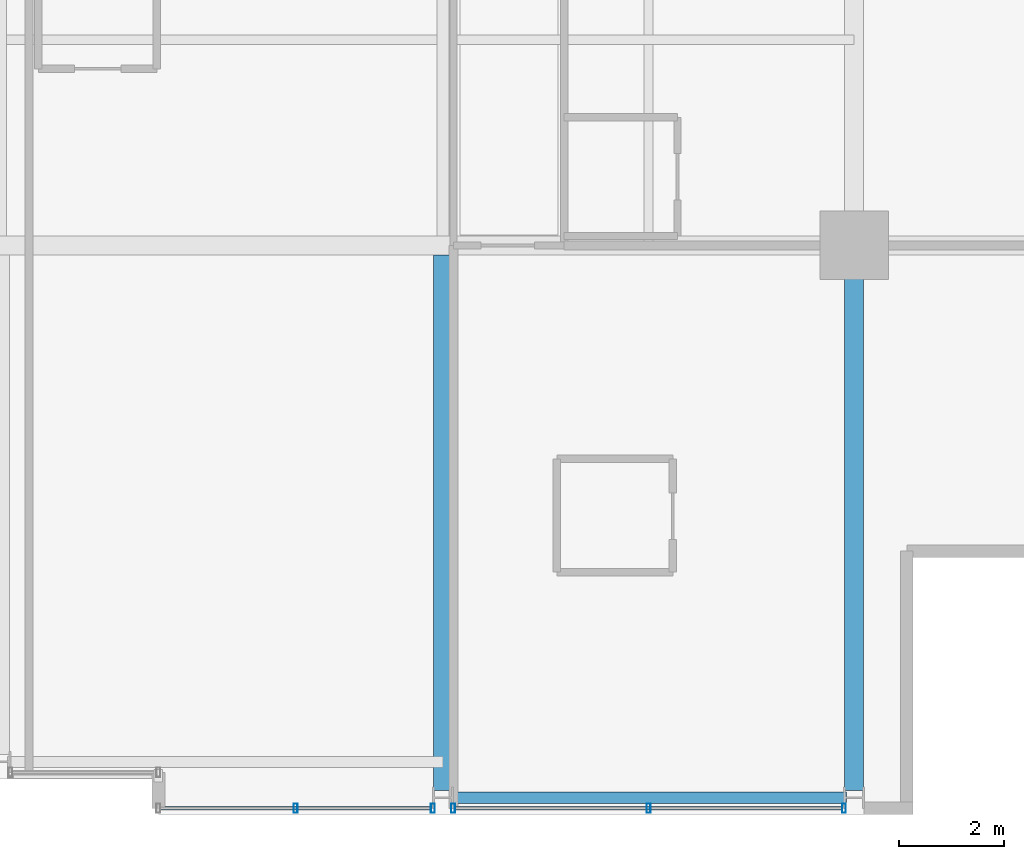
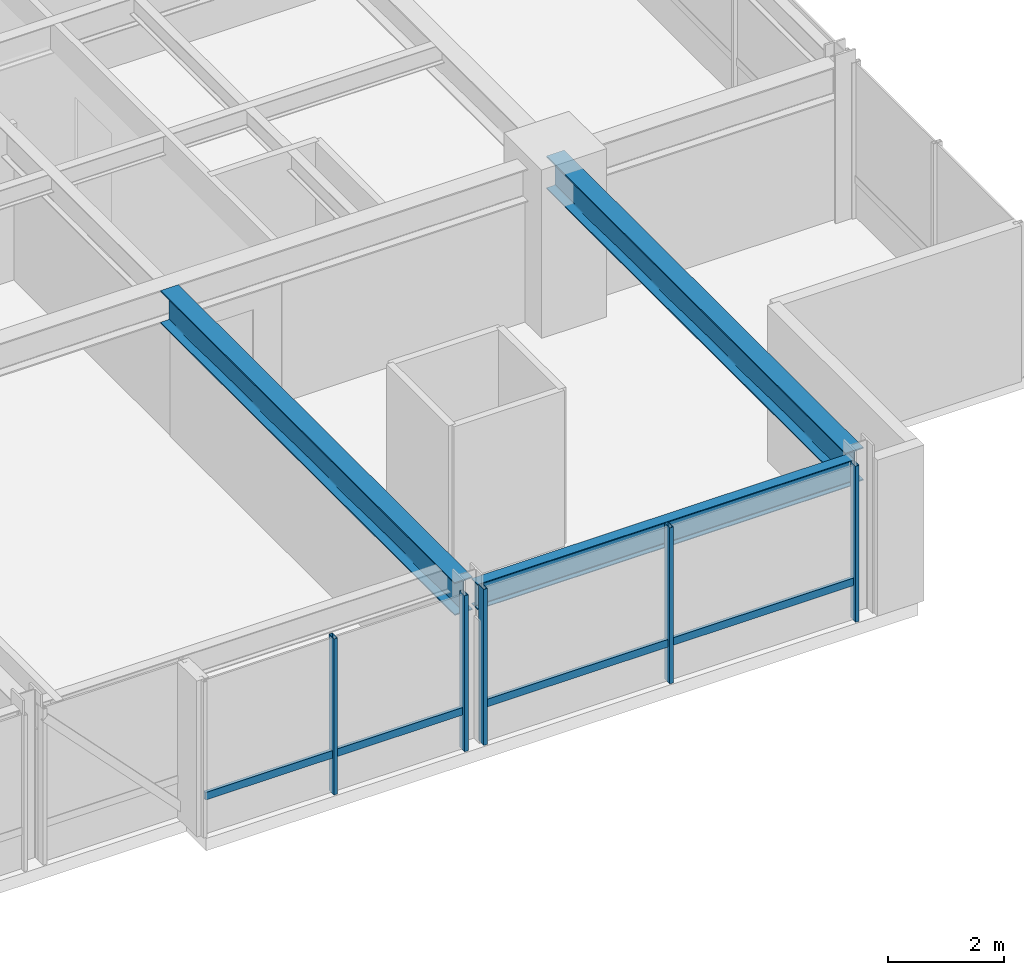
# One storey, part 11 of 32: 7 members, 3 beams, 2 elements without a shape of their own.
"""IFC4 building model written with IfcOpenShell, lengths in metres."""

from ifc_helpers import new_model, si_unit, direction, frame, origin, origin_2d, place, context, subcontext, project, spatial, hollow_rectangle, i_section, extrude, material, layer, layer_set, material_profile, profile_set, type_object, element, aggregate, save


model = new_model("IFC4")

# Units and contexts
model_context = context("Model", 3, precision=1e-05, world=origin(), true_north=direction((0.0, 1.0)))
body_context = subcontext(model_context, "Body", "Model", "MODEL_VIEW")
ifc_project = project(units=[si_unit("LENGTHUNIT", "METRE"), si_unit("AREAUNIT", "SQUARE_METRE"), si_unit("VOLUMEUNIT", "CUBIC_METRE"), si_unit("PLANEANGLEUNIT", "RADIAN"), si_unit("MASSUNIT", "GRAM", prefix="KILO")], contexts=[model_context])

# Site, building, storey
site_placement = place(None, origin())
site = spatial("IfcSite", under=ifc_project, at=site_placement, CompositionType="ELEMENT")
building_placement = place(site_placement, origin())
building = spatial("IfcBuilding", under=site, at=building_placement, Name="Drelvath Grand Hotel", CompositionType="ELEMENT")
storey_placement = place(building_placement, frame((0.0, 0.0, 189.449951171875)))
storey = spatial("IfcBuildingStorey", under=building, at=storey_placement, Name="L49", CompositionType="ELEMENT", Elevation=189.449951171875)

# Curtain wall, member
ifc_material_1 = material(Name="Brushed Pale-Silver Anodised Aluminium Frame", Category="aluminium")
ifc_layer = layer(ifc_material_1, 0.199951171875)
ifc_layer_set = layer_set([ifc_layer], Name="Brushed Pale-Silver Anodised Aluminium Frame")
curtain_wall_type = type_object("IfcCurtainWallType", Name="Stick Curtain Wall CW-04 Brushed Silver Upper-Mid", PredefinedType="NOTDEFINED", material=ifc_layer_set)
curtain_wall_1_placement = place(storey_placement, origin())
curtain_wall_1 = element("IfcCurtainWall", 1, at=curtain_wall_1_placement, inside=storey, type_object=curtain_wall_type, Name="L49 CW-04 Curtain Wall CW04-L49-SE1", PredefinedType="NOTDEFINED")
ifc_material_profile_1 = material_profile(ifc_material_1, hollow_rectangle(XDim=0.06494140625, YDim=0.159912109375, WallThickness=0.00390625, at=origin_2d()), Name="HSS160X65X4")
ifc_profile_set_1 = profile_set([ifc_material_profile_1], Name="Brushed Pale-Silver Anodised Aluminium Frame")
member_type_1 = type_object("IfcMemberType", Name="Curtain Wall Horizontal Transom CW-04 HSS160X65X4", PredefinedType="USERDEFINED", material=ifc_profile_set_1)
member_1_placement = place(storey_placement, frame((8.168212890625, 0.1201171875, 0.822509765625), z_axis=(-1.0, 0.0, 0.0), x_axis=(0.0, -1.0, 0.0)))
member_1 = element("IfcMember", 2, at=member_1_placement, type_object=member_type_1, Name="CW04-L49-SE1 Sill Transom", ObjectType="TRANSOM", PredefinedType="USERDEFINED", context=body_context, shape_type="SweptSolid", body=[
    extrude(hollow_rectangle(XDim=0.06494140625, YDim=0.159912109375, WallThickness=0.00390625, at=origin_2d()), origin(), (0.0, 0.0, 1.0), 5.128173828125),
])

curtain_wall_2_placement = place(storey_placement, origin())
curtain_wall_2 = element("IfcCurtainWall", 3, at=curtain_wall_2_placement, inside=storey, type_object=curtain_wall_type, Name="L49 CW-04 Curtain Wall CW04-L49-SE2", PredefinedType="NOTDEFINED")
member_2_placement = place(storey_placement, frame((15.968505859375, 0.1201171875, 0.822509765625), z_axis=(-1.0, 0.0, 0.0), x_axis=(0.0, -1.0, 0.0)))
member_2 = element("IfcMember", 4, at=member_2_placement, type_object=member_type_1, Name="CW04-L49-SE2 Sill Transom", ObjectType="TRANSOM", PredefinedType="USERDEFINED", context=body_context, shape_type="SweptSolid", body=[
    extrude(hollow_rectangle(XDim=0.06494140625, YDim=0.159912109375, WallThickness=0.00390625, at=origin_2d()), origin(), (0.0, 0.0, 1.0), 7.3369140625),
])

# Member
ifc_material_profile_2 = material_profile(ifc_material_1, hollow_rectangle(XDim=0.074951171875, YDim=0.179931640625, WallThickness=0.0048828125, at=origin_2d()), Name="HSS180X75X5")
ifc_profile_set_2 = profile_set([ifc_material_profile_2], Name="Brushed Pale-Silver Anodised Aluminium Frame")
member_type_2 = type_object("IfcMemberType", Name="Curtain Wall Vertical Mullion CW-04 HSS180X75X5", PredefinedType="MULLION", material=ifc_profile_set_2)
member_3_placement = place(storey_placement, frame((8.208251953125, 0.1201171875, 0.0), z_axis=(0.0, 0.0, 1.0), x_axis=(1.0, 0.0, 0.0)))
member_3 = element("IfcMember", 5, at=member_3_placement, type_object=member_type_2, Name="CW04-L49-SE1 Mullion 1", PredefinedType="MULLION", context=body_context, shape_type="SweptSolid", body=[
    extrude(hollow_rectangle(XDim=0.074951171875, YDim=0.179931640625, WallThickness=0.0048828125, at=origin_2d()), origin(), (0.0, 0.0, 1.0), 3.2900390625),
])

member_4_placement = place(storey_placement, frame((5.60400390625, 0.1201171875, 0.0), z_axis=(0.0, 0.0, 1.0), x_axis=(1.0, 0.0, 0.0)))
member_4 = element("IfcMember", 6, at=member_4_placement, type_object=member_type_2, Name="CW04-L49-SE1 Mullion 2", PredefinedType="MULLION", context=body_context, shape_type="SweptSolid", body=[
    extrude(hollow_rectangle(XDim=0.074951171875, YDim=0.179931640625, WallThickness=0.0048828125, at=origin_2d()), origin(), (0.0, 0.0, 1.0), 3.2900390625),
])

aggregate(curtain_wall_1, [member_3, member_4, member_1])

member_5_placement = place(storey_placement, frame((16.00830078125, 0.1201171875, 0.0), z_axis=(0.0, 0.0, 1.0), x_axis=(1.0, 0.0, 0.0)))
member_5 = element("IfcMember", 7, at=member_5_placement, type_object=member_type_2, Name="CW04-L49-SE2 Mullion 1", PredefinedType="MULLION", context=body_context, shape_type="SweptSolid", body=[
    extrude(hollow_rectangle(XDim=0.074951171875, YDim=0.179931640625, WallThickness=0.0048828125, at=origin_2d()), origin(), (0.0, 0.0, 1.0), 3.2900390625),
])

member_6_placement = place(storey_placement, frame((12.300048828125, 0.1201171875, 0.0), z_axis=(0.0, 0.0, 1.0), x_axis=(1.0, 0.0, 0.0)))
member_6 = element("IfcMember", 8, at=member_6_placement, type_object=member_type_2, Name="CW04-L49-SE2 Mullion 2", PredefinedType="MULLION", context=body_context, shape_type="SweptSolid", body=[
    extrude(hollow_rectangle(XDim=0.074951171875, YDim=0.179931640625, WallThickness=0.0048828125, at=origin_2d()), origin(), (0.0, 0.0, 1.0), 3.2900390625),
])

member_7_placement = place(storey_placement, frame((8.591796875, 0.1201171875, 0.0), z_axis=(0.0, 0.0, 1.0), x_axis=(1.0, 0.0, 0.0)))
member_7 = element("IfcMember", 9, at=member_7_placement, type_object=member_type_2, Name="CW04-L49-SE2 Mullion 3", PredefinedType="MULLION", context=body_context, shape_type="SweptSolid", body=[
    extrude(hollow_rectangle(XDim=0.074951171875, YDim=0.179931640625, WallThickness=0.0048828125, at=origin_2d()), origin(), (0.0, 0.0, 1.0), 3.2900390625),
])

aggregate(curtain_wall_2, [member_5, member_6, member_7, member_2])

# Beams
ifc_material_2 = material(Name="Steel ASTM A992 Gr 50", Category="steel")
ifc_material_profile_3 = material_profile(ifc_material_2, i_section(OverallWidth=0.210205078125, OverallDepth=0.53662109375, WebThickness=0.010986328125, FlangeThickness=0.017333984375, FilletRadius=0.01806640625, at=origin_2d()), Name="W21X68")
ifc_profile_set_3 = profile_set([ifc_material_profile_3], Name="Steel ASTM A992 Gr 50")
beam_type_1 = type_object("IfcBeamType", Name="Perimeter Spandrel Beam W21X68", PredefinedType="SPANDREL", material=ifc_profile_set_3)
beam_1_placement = place(storey_placement, frame((8.5400390625, 0.320068359375, 3.021728515625), z_axis=(1.0, 0.0, 0.0), x_axis=(0.0, 1.0, 0.0)))
element("IfcBeam", 10, at=beam_1_placement, inside=storey, type_object=beam_type_1, Name="L49 Spandrel South E", PredefinedType="SPANDREL", context=body_context, shape_type="SweptSolid", body=[
    extrude(i_section(OverallWidth=0.210205078125, OverallDepth=0.53662109375, WebThickness=0.010986328125, FlangeThickness=0.017333984375, FilletRadius=0.01806640625, at=origin_2d()), origin(), (0.0, 0.0, 1.0), 7.52001953125),
])
ifc_material_profile_4 = material_profile(ifc_material_2, i_section(OverallWidth=0.354736328125, OverallDepth=0.695556640625, WebThickness=0.015380859375, FlangeThickness=0.025146484375, FilletRadius=0.02392578125, at=origin_2d()), Name="W27X146")
ifc_profile_set_4 = profile_set([ifc_material_profile_4], Name="Steel ASTM A992 Gr 50")
beam_type_2 = type_object("IfcBeamType", Name="Primary Floor Girder W27X146", PredefinedType="BEAM", material=ifc_profile_set_4)
beam_2_placement = place(storey_placement, frame((16.199951171875, 0.4599609375, 2.9423828125), z_axis=(0.0, 1.0, 0.0), x_axis=(-1.0, 0.0, 0.0)))
element("IfcBeam", 11, at=beam_2_placement, inside=storey, type_object=beam_type_2, Name="L49 South Grid Girder 7", PredefinedType="BEAM", context=body_context, shape_type="SweptSolid", body=[
    extrude(i_section(OverallWidth=0.354736328125, OverallDepth=0.695556640625, WebThickness=0.015380859375, FlangeThickness=0.025146484375, FilletRadius=0.02392578125, at=origin_2d()), origin(), (0.0, 0.0, 1.0), 10.340087890625),
])
beam_3_placement = place(storey_placement, frame((8.39990234375, 0.4599609375, 2.9423828125), z_axis=(0.0, 1.0, 0.0), x_axis=(-1.0, 0.0, 0.0)))
element("IfcBeam", 12, at=beam_3_placement, inside=storey, type_object=beam_type_2, Name="L49 South Wing Girder 6", PredefinedType="BEAM", context=body_context, shape_type="SweptSolid", body=[
    extrude(i_section(OverallWidth=0.354736328125, OverallDepth=0.695556640625, WebThickness=0.015380859375, FlangeThickness=0.025146484375, FilletRadius=0.02392578125, at=origin_2d()), origin(), (0.0, 0.0, 1.0), 10.16259765625),
])

save(model, "model.ifc")
